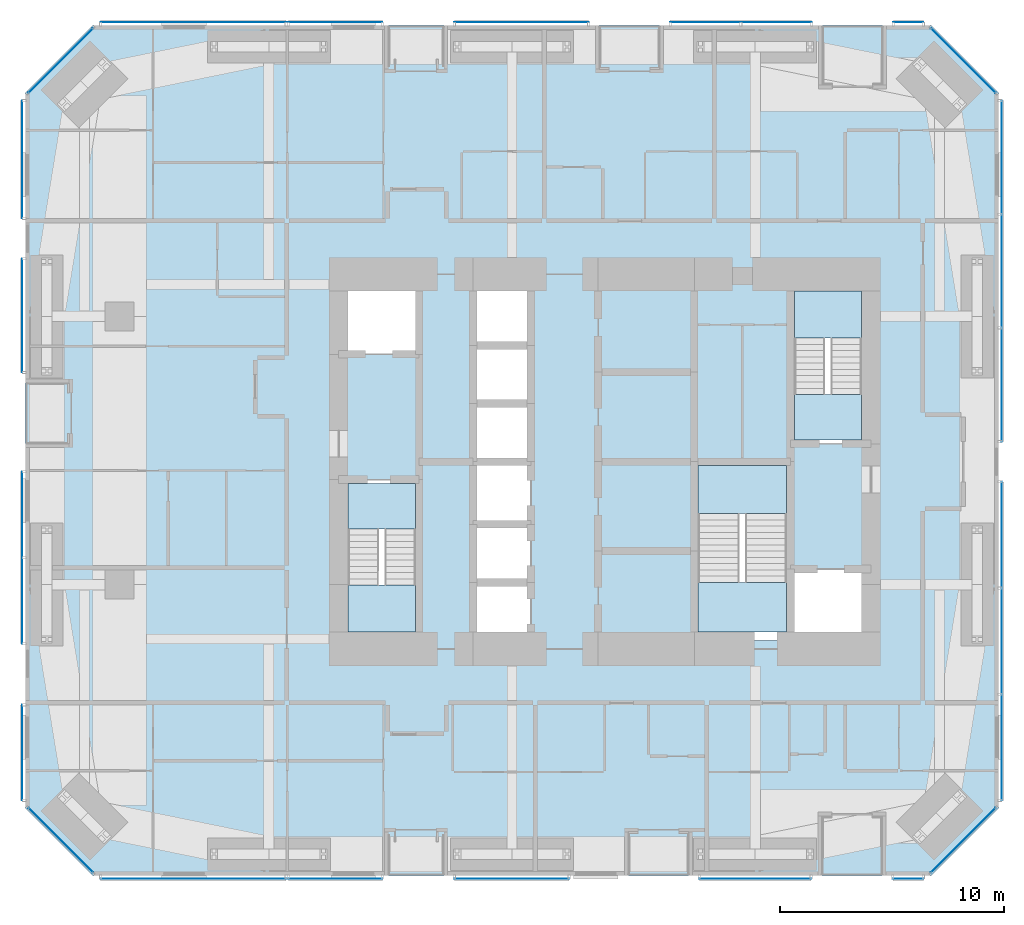
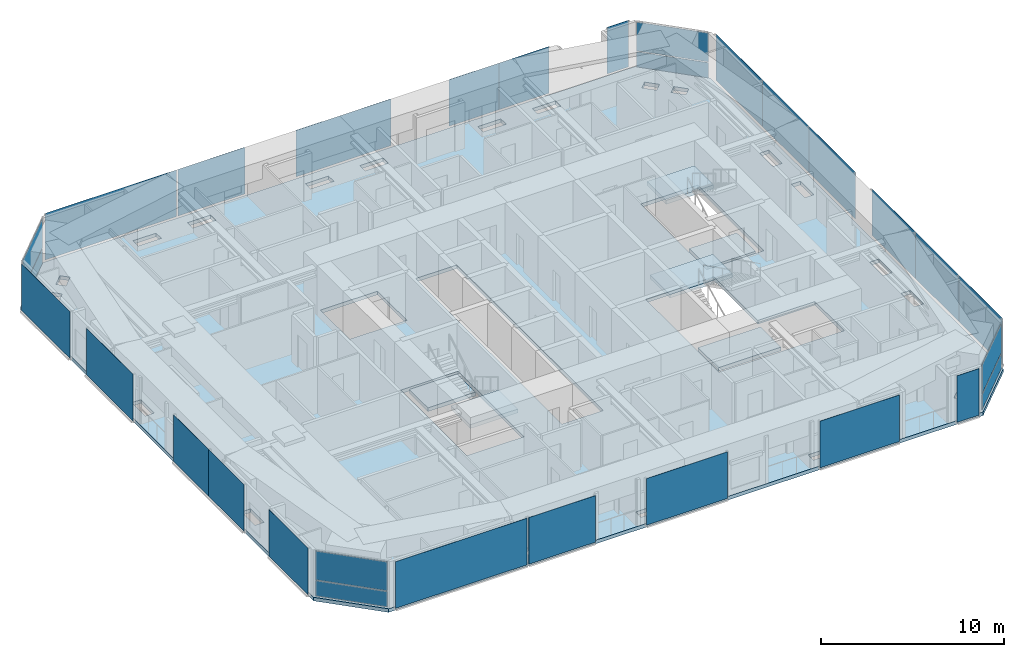
# One storey, part 16 of 25: 30 plates, 7 slabs, 23 elements without a shape of their own.
"""IFC4 building model written with IfcOpenShell, lengths in metres."""

from ifc_helpers import new_model, si_unit, direction, frame, origin, origin_2d, place, context, subcontext, project, spatial, polyline, rectangle, outline, extrude, material, layer, layer_set, type_object, element, aggregate, save


model = new_model("IFC4")

# Units and contexts
model_context = context("Model", 3, precision=1e-05, world=origin(), true_north=direction((0.0, 1.0)))
body_context = subcontext(model_context, "Body", "Model", "MODEL_VIEW")
ifc_project = project(units=[si_unit("LENGTHUNIT", "METRE"), si_unit("AREAUNIT", "SQUARE_METRE"), si_unit("VOLUMEUNIT", "CUBIC_METRE"), si_unit("PLANEANGLEUNIT", "RADIAN"), si_unit("MASSUNIT", "GRAM", prefix="KILO")], contexts=[model_context])

# Site, building, storey
site_placement = place(None, origin())
site = spatial("IfcSite", under=ifc_project, at=site_placement, CompositionType="ELEMENT")
building_placement = place(site_placement, origin())
building = spatial("IfcBuilding", under=site, at=building_placement, Name="Jalousie Tower", CompositionType="ELEMENT")
storey_placement = place(building_placement, frame((0.0, 0.0, 94.800048828125)))
storey = spatial("IfcBuildingStorey", under=building, at=storey_placement, Name="L25", CompositionType="ELEMENT", Elevation=94.800048828125)

# Curtain wall, plates
ifc_material_1 = material(Name="Aluminium curtain wall", Category="aluminium")
curtain_wall_type_1 = type_object("IfcCurtainWallType", Name="CORNER WINDOW WALL", PredefinedType="USERDEFINED", material=ifc_material_1)
curtain_wall_1_placement = place(storey_placement, origin())
curtain_wall_1 = element("IfcCurtainWall", 1, at=curtain_wall_1_placement, inside=storey, type_object=curtain_wall_type_1, Name="Corner Window Wall L25 2", ObjectType="CORNER WINDOW WALL", PredefinedType="USERDEFINED")
ifc_material_2 = material(Name="Laminated impact-rated spandrel glass", Category="glass")
ifc_layer_1 = layer(ifc_material_2, 0.028076171875)
ifc_layer_set_1 = layer_set([ifc_layer_1], Name="Laminated impact-rated spandrel glass")
plate_type_1 = type_object("IfcPlateType", Name="CORNER WINDOW WALL PANEL", PredefinedType="CURTAIN_PANEL", material=ifc_layer_set_1)
plate_1_placement = place(storey_placement, frame((47.9306640625, 1.5693359375, 0.06005859375), z_axis=(0.0, 0.0, 1.0), x_axis=(0.707106781187, 0.707106781187, 0.0)))
plate_1 = element("IfcPlate", 2, at=plate_1_placement, type_object=plate_type_1, Name="CW-C panel 1.1", PredefinedType="CURTAIN_PANEL", context=body_context, shape_type="SweptSolid", body=[
    extrude(rectangle(XDim=4.071533203125, YDim=0.028076171875, at=origin_2d()), origin(), (0.0, 0.0, 1.0), 1.010009765625),
])
plate_2_placement = place(storey_placement, frame((47.9306640625, 1.5693359375, 1.1298828125), z_axis=(0.0, 0.0, 1.0), x_axis=(0.707106781187, 0.707106781187, 0.0)))
plate_2 = element("IfcPlate", 3, at=plate_2_placement, type_object=plate_type_1, Name="CW-C panel 1.2", PredefinedType="CURTAIN_PANEL", context=body_context, shape_type="SweptSolid", body=[
    extrude(rectangle(XDim=4.071533203125, YDim=0.028076171875, at=origin_2d()), origin(), (0.0, 0.0, 1.0), 1.919921875),
])
aggregate(curtain_wall_1, [plate_1, plate_2])

curtain_wall_2_placement = place(storey_placement, origin())
curtain_wall_2 = element("IfcCurtainWall", 4, at=curtain_wall_2_placement, inside=storey, type_object=curtain_wall_type_1, Name="Corner Window Wall L25 4", ObjectType="CORNER WINDOW WALL", PredefinedType="USERDEFINED")
plate_3_placement = place(storey_placement, frame((47.9306640625, 36.4306640625, 0.06005859375), z_axis=(0.0, 0.0, 1.0), x_axis=(-0.707106781187, 0.707106781187, 0.0)))
plate_3 = element("IfcPlate", 5, at=plate_3_placement, type_object=plate_type_1, Name="CW-C panel 1.1", PredefinedType="CURTAIN_PANEL", context=body_context, shape_type="SweptSolid", body=[
    extrude(rectangle(XDim=4.071533203125, YDim=0.028076171875, at=origin_2d()), origin(), (0.0, 0.0, 1.0), 1.010009765625),
])
plate_4_placement = place(storey_placement, frame((47.9306640625, 36.4306640625, 1.1298828125), z_axis=(0.0, 0.0, 1.0), x_axis=(-0.707106781187, 0.707106781187, 0.0)))
plate_4 = element("IfcPlate", 6, at=plate_4_placement, type_object=plate_type_1, Name="CW-C panel 1.2", PredefinedType="CURTAIN_PANEL", context=body_context, shape_type="SweptSolid", body=[
    extrude(rectangle(XDim=4.071533203125, YDim=0.028076171875, at=origin_2d()), origin(), (0.0, 0.0, 1.0), 1.919921875),
])
aggregate(curtain_wall_2, [plate_3, plate_4])

curtain_wall_3_placement = place(storey_placement, origin())
curtain_wall_3 = element("IfcCurtainWall", 7, at=curtain_wall_3_placement, inside=storey, type_object=curtain_wall_type_1, Name="Corner Window Wall L25 6", ObjectType="CORNER WINDOW WALL", PredefinedType="USERDEFINED")
plate_5_placement = place(storey_placement, frame((7.5693359375, 36.4306640625, 0.06005859375), z_axis=(0.0, 0.0, 1.0), x_axis=(-0.707106781187, -0.707106781187, 0.0)))
plate_5 = element("IfcPlate", 8, at=plate_5_placement, type_object=plate_type_1, Name="CW-C panel 1.1", PredefinedType="CURTAIN_PANEL", context=body_context, shape_type="SweptSolid", body=[
    extrude(rectangle(XDim=4.071533203125, YDim=0.028076171875, at=origin_2d()), origin(), (0.0, 0.0, 1.0), 1.010009765625),
])
plate_6_placement = place(storey_placement, frame((7.5693359375, 36.4306640625, 1.1298828125), z_axis=(0.0, 0.0, 1.0), x_axis=(-0.707106781187, -0.707106781187, 0.0)))
plate_6 = element("IfcPlate", 9, at=plate_6_placement, type_object=plate_type_1, Name="CW-C panel 1.2", PredefinedType="CURTAIN_PANEL", context=body_context, shape_type="SweptSolid", body=[
    extrude(rectangle(XDim=4.071533203125, YDim=0.028076171875, at=origin_2d()), origin(), (0.0, 0.0, 1.0), 1.919921875),
])
aggregate(curtain_wall_3, [plate_5, plate_6])

curtain_wall_4_placement = place(storey_placement, origin())
curtain_wall_4 = element("IfcCurtainWall", 10, at=curtain_wall_4_placement, inside=storey, type_object=curtain_wall_type_1, Name="Corner Window Wall L25 8", ObjectType="CORNER WINDOW WALL", PredefinedType="USERDEFINED")
plate_7_placement = place(storey_placement, frame((7.5693359375, 1.5693359375, 0.06005859375), z_axis=(0.0, 0.0, 1.0), x_axis=(0.707106781187, -0.707106781187, 0.0)))
plate_7 = element("IfcPlate", 11, at=plate_7_placement, type_object=plate_type_1, Name="CW-C panel 1.1", PredefinedType="CURTAIN_PANEL", context=body_context, shape_type="SweptSolid", body=[
    extrude(rectangle(XDim=4.071533203125, YDim=0.028076171875, at=origin_2d()), origin(), (0.0, 0.0, 1.0), 1.010009765625),
])
plate_8_placement = place(storey_placement, frame((7.5693359375, 1.5693359375, 1.1298828125), z_axis=(0.0, 0.0, 1.0), x_axis=(0.707106781187, -0.707106781187, 0.0)))
plate_8 = element("IfcPlate", 12, at=plate_8_placement, type_object=plate_type_1, Name="CW-C panel 1.2", PredefinedType="CURTAIN_PANEL", context=body_context, shape_type="SweptSolid", body=[
    extrude(rectangle(XDim=4.071533203125, YDim=0.028076171875, at=origin_2d()), origin(), (0.0, 0.0, 1.0), 1.919921875),
])
aggregate(curtain_wall_4, [plate_7, plate_8])

# Slab
ifc_material_3 = material(Name="Concrete f'c 40 MPa", Category="concrete")
ifc_layer_2 = layer(ifc_material_3, 0.239990234375)
ifc_layer_set_2 = layer_set([ifc_layer_2], Name="Concrete f'c 40 MPa")
slab_type_1 = type_object("IfcSlabType", Name="FLOOR SLAB 240", PredefinedType="FLOOR", material=ifc_layer_set_2)
slab_1_placement = place(storey_placement, frame((0.0, 0.0, -0.239990234375)))
element("IfcSlab", 13, at=slab_1_placement, inside=storey, type_object=slab_type_1, Name="L25 floor slab", PredefinedType="FLOOR", context=body_context, shape_type="SweptSolid", body=[
    extrude(outline(polyline([(9.0, 0.0), (46.5, 0.0), (49.5, 3.0), (49.5, 35.0), (46.5, 38.0), (9.0, 38.0), (6.0, 35.0), (6.0, 3.0), (9.0, 0.0)]), holes=[polyline([(14.425048828125, 1.236083984375), (14.484619140625, 1.236083984375), (15.888916015625, 1.236083984375), (15.888916015625, 0.663818359375), (14.484619140625, 0.663818359375), (14.425048828125, 0.663818359375), (14.425048828125, 1.236083984375)]), polyline([(26.763916015625, 1.236083984375), (26.763916015625, 0.663818359375), (25.359619140625, 0.663818359375), (25.300048828125, 0.663818359375), (25.300048828125, 1.236083984375), (25.359619140625, 1.236083984375), (26.763916015625, 1.236083984375)]), polyline([(17.861083984375, 1.236083984375), (19.265380859375, 1.236083984375), (19.324951171875, 1.236083984375), (19.324951171875, 0.663818359375), (19.265380859375, 0.663818359375), (17.861083984375, 0.663818359375), (17.861083984375, 1.236083984375)]), polyline([(9.220947265625, 1.636962890625), (8.71435546875, 2.1435546875), (9.119140625, 2.54833984375), (9.625732421875, 2.041748046875), (9.717529296875, 1.949951171875), (9.717529296875, 1.949951171875), (9.717529296875, 1.949951171875), (9.515380859375, 1.74755859375), (9.31298828125, 1.545166015625), (9.220947265625, 1.636962890625), (9.220947265625, 1.636962890625)]), polyline([(7.545166015625, 3.31298828125), (7.949951171875, 3.717529296875), (8.54833984375, 3.119140625), (8.1435546875, 2.71435546875), (7.545166015625, 3.31298828125)]), polyline([(7.236083984375, 10.550048828125), (6.663818359375, 10.550048828125), (6.663818359375, 10.609619140625), (6.663818359375, 12.013916015625), (7.236083984375, 12.013916015625), (7.236083984375, 10.609619140625), (7.236083984375, 10.550048828125)]), polyline([(26.0, 10.5), (26.0, 26.5), (28.60009765625, 26.5), (28.60009765625, 10.5), (26.0, 10.5)]), polyline([(20.0, 10.5), (23.60009765625, 10.5), (23.60009765625, 17.699951171875), (20.0, 17.699951171875), (20.0, 10.5)]), polyline([(7.236083984375, 15.390380859375), (7.236083984375, 13.986083984375), (6.663818359375, 13.986083984375), (6.663818359375, 15.390380859375), (6.663818359375, 15.449951171875), (7.236083984375, 15.449951171875), (7.236083984375, 15.390380859375)]), polyline([(6.663818359375, 24.013916015625), (7.236083984375, 24.013916015625), (7.236083984375, 22.609619140625), (7.236083984375, 22.550048828125), (6.663818359375, 22.550048828125), (6.663818359375, 22.609619140625), (6.663818359375, 24.013916015625)]), polyline([(20.0, 23.300048828125), (23.60009765625, 23.300048828125), (23.60009765625, 26.5), (20.0, 26.5), (20.0, 23.300048828125)]), polyline([(7.236083984375, 25.986083984375), (6.663818359375, 25.986083984375), (6.663818359375, 27.390380859375), (6.663818359375, 27.449951171875), (7.236083984375, 27.449951171875), (7.236083984375, 27.390380859375), (7.236083984375, 25.986083984375)]), polyline([(7.949951171875, 34.282470703125), (7.74755859375, 34.484619140625), (7.545166015625, 34.68701171875), (7.636962890625, 34.779052734375), (7.636962890625, 34.779052734375), (8.1435546875, 35.28564453125), (8.54833984375, 34.880859375), (8.037841796875, 34.370361328125), (7.949951171875, 34.282470703125), (7.949951171875, 34.282470703125), (7.949951171875, 34.282470703125)]), polyline([(9.717529296875, 36.050048828125), (9.625732421875, 35.958251953125), (9.625732421875, 35.958251953125), (9.119140625, 35.45166015625), (8.71435546875, 35.8564453125), (9.239013671875, 36.380859375), (9.31298828125, 36.454833984375), (9.31298828125, 36.454833984375), (9.515380859375, 36.25244140625), (9.717529296875, 36.050048828125)]), polyline([(26.763916015625, 36.763916015625), (25.359619140625, 36.763916015625), (25.300048828125, 36.763916015625), (25.300048828125, 37.336181640625), (25.359619140625, 37.336181640625), (26.763916015625, 37.336181640625), (26.763916015625, 36.763916015625)]), polyline([(19.324951171875, 37.336181640625), (19.324951171875, 36.763916015625), (19.265380859375, 36.763916015625), (17.861083984375, 36.763916015625), (17.861083984375, 37.336181640625), (19.265380859375, 37.336181640625), (19.324951171875, 37.336181640625)]), polyline([(14.425048828125, 36.763916015625), (14.425048828125, 37.336181640625), (14.484619140625, 37.336181640625), (15.888916015625, 37.336181640625), (15.888916015625, 36.763916015625), (14.484619140625, 36.763916015625), (14.425048828125, 36.763916015625)]), polyline([(28.736083984375, 0.663818359375), (28.736083984375, 1.236083984375), (30.140380859375, 1.236083984375), (30.199951171875, 1.236083984375), (30.199951171875, 0.663818359375), (30.140380859375, 0.663818359375), (28.736083984375, 0.663818359375)]), polyline([(36.234619140625, 0.663818359375), (36.175048828125, 0.663818359375), (36.175048828125, 1.236083984375), (36.234619140625, 1.236083984375), (37.638916015625, 1.236083984375), (37.638916015625, 0.663818359375), (36.234619140625, 0.663818359375)]), polyline([(41.015380859375, 1.236083984375), (41.074951171875, 1.236083984375), (41.074951171875, 0.663818359375), (41.015380859375, 0.663818359375), (39.611083984375, 0.663818359375), (39.611083984375, 1.236083984375), (41.015380859375, 1.236083984375)]), polyline([(46.279052734375, 1.636962890625), (46.18701171875, 1.545166015625), (45.984619140625, 1.74755859375), (45.782470703125, 1.949951171875), (45.782470703125, 1.949951171875), (45.782470703125, 1.949951171875), (45.874267578125, 2.041748046875), (46.380859375, 2.54833984375), (46.78564453125, 2.1435546875), (46.279052734375, 1.636962890625), (46.279052734375, 1.636962890625)]), polyline([(47.458251953125, 3.625732421875), (47.458251953125, 3.625732421875), (47.550048828125, 3.717529296875), (47.75244140625, 3.515380859375), (47.954833984375, 3.31298828125), (47.954833984375, 3.31298828125), (47.954833984375, 3.31298828125), (47.863037109375, 3.220947265625), (47.3564453125, 2.71435546875), (46.95166015625, 3.119140625), (47.458251953125, 3.625732421875)]), polyline([(48.836181640625, 10.550048828125), (48.263916015625, 10.550048828125), (48.263916015625, 10.609619140625), (48.263916015625, 12.013916015625), (48.836181640625, 12.013916015625), (48.836181640625, 10.609619140625), (48.836181640625, 10.550048828125)]), polyline([(35.89990234375, 18.5), (40.199951171875, 18.5), (40.199951171875, 13.699951171875), (43.800048828125, 13.699951171875), (43.800048828125, 10.5), (35.89990234375, 10.5), (35.89990234375, 18.5)]), polyline([(48.836181640625, 13.986083984375), (48.263916015625, 13.986083984375), (48.263916015625, 15.390380859375), (48.263916015625, 15.449951171875), (48.836181640625, 15.449951171875), (48.836181640625, 15.390380859375), (48.836181640625, 13.986083984375)]), polyline([(40.199951171875, 19.300048828125), (43.800048828125, 19.300048828125), (43.800048828125, 26.5), (40.199951171875, 26.5), (40.199951171875, 19.300048828125)]), polyline([(48.836181640625, 22.550048828125), (48.263916015625, 22.550048828125), (48.263916015625, 22.609619140625), (48.263916015625, 24.013916015625), (48.836181640625, 24.013916015625), (48.836181640625, 22.609619140625), (48.836181640625, 22.550048828125)]), polyline([(48.836181640625, 27.390380859375), (48.836181640625, 25.986083984375), (48.263916015625, 25.986083984375), (48.263916015625, 27.390380859375), (48.263916015625, 27.449951171875), (48.836181640625, 27.449951171875), (48.836181640625, 27.390380859375)]), polyline([(47.3564453125, 35.28564453125), (47.954833984375, 34.68701171875), (47.550048828125, 34.282470703125), (47.458251953125, 34.374267578125), (46.95166015625, 34.880859375), (47.3564453125, 35.28564453125)]), polyline([(46.380859375, 35.45166015625), (45.874267578125, 35.958251953125), (45.782470703125, 36.050048828125), (46.18701171875, 36.454833984375), (46.78564453125, 35.8564453125), (46.380859375, 35.45166015625)]), polyline([(41.015380859375, 37.336181640625), (41.074951171875, 37.336181640625), (41.074951171875, 36.763916015625), (41.015380859375, 36.763916015625), (39.611083984375, 36.763916015625), (39.611083984375, 37.336181640625), (41.015380859375, 37.336181640625)]), polyline([(37.638916015625, 37.336181640625), (37.638916015625, 36.763916015625), (36.234619140625, 36.763916015625), (36.175048828125, 36.763916015625), (36.175048828125, 37.336181640625), (36.234619140625, 37.336181640625), (37.638916015625, 37.336181640625)]), polyline([(28.736083984375, 37.336181640625), (30.140380859375, 37.336181640625), (30.199951171875, 37.336181640625), (30.199951171875, 36.763916015625), (30.140380859375, 36.763916015625), (28.736083984375, 36.763916015625), (28.736083984375, 37.336181640625)])]), origin(), (0.0, 0.0, 1.0), 0.239990234375),
])

# Curtain wall, plate
ifc_material_4 = material(Name="Perforated aluminium sheet", Category="aluminium")
curtain_wall_type_2 = type_object("IfcCurtainWallType", Name="SOLAR SCREEN SS-1", PredefinedType="USERDEFINED", material=ifc_material_4)
curtain_wall_5_placement = place(storey_placement, origin())
curtain_wall_5 = element("IfcCurtainWall", 14, at=curtain_wall_5_placement, inside=storey, type_object=curtain_wall_type_2, Name="Solar screen L25", ObjectType="SOLAR SCREEN SS-1", PredefinedType="USERDEFINED")
ifc_material_5 = material(Name="Perforated aluminium sheet", Category="aluminium")
ifc_layer_3 = layer(ifc_material_5, 0.006103515625)
ifc_layer_set_3 = layer_set([ifc_layer_3], Name="Perforated aluminium sheet")
plate_type_2 = type_object("IfcPlateType", Name="SOLAR SCREEN SS-1 PANEL", PredefinedType="CURTAIN_PANEL", material=ifc_layer_set_3)
plate_9_placement = place(storey_placement, frame((13.500732421875, -0.150390625, 0.0), z_axis=(0.0, 0.0, 1.0), x_axis=(1.0, 0.0, 0.0)))
plate_9 = element("IfcPlate", 15, at=plate_9_placement, type_object=plate_type_2, Name="SS1 perforated panel 1", PredefinedType="CURTAIN_PANEL", context=body_context, shape_type="SweptSolid", body=[
    extrude(rectangle(XDim=8.298583984375, YDim=0.006103515625, at=origin_2d()), origin(), (0.0, 0.0, 1.0), 3.110107421875),
])
aggregate(curtain_wall_5, [plate_9])

curtain_wall_6_placement = place(storey_placement, origin())
curtain_wall_6 = element("IfcCurtainWall", 16, at=curtain_wall_6_placement, inside=storey, type_object=curtain_wall_type_2, Name="Solar screen L25", ObjectType="SOLAR SCREEN SS-1", PredefinedType="USERDEFINED")
plate_10_placement = place(storey_placement, frame((19.85009765625, -0.150390625, 0.0), z_axis=(0.0, 0.0, 1.0), x_axis=(1.0, 0.0, 0.0)))
plate_10 = element("IfcPlate", 17, at=plate_10_placement, type_object=plate_type_2, Name="SS1 perforated panel 1", PredefinedType="CURTAIN_PANEL", context=body_context, shape_type="SweptSolid", body=[
    extrude(rectangle(XDim=4.199951171875, YDim=0.006103515625, at=origin_2d()), origin(), (0.0, 0.0, 1.0), 3.110107421875),
])
aggregate(curtain_wall_6, [plate_10])

curtain_wall_7_placement = place(storey_placement, origin())
curtain_wall_7 = element("IfcCurtainWall", 18, at=curtain_wall_7_placement, inside=storey, type_object=curtain_wall_type_2, Name="Solar screen L25", ObjectType="SOLAR SCREEN SS-1", PredefinedType="USERDEFINED")
plate_11_placement = place(storey_placement, frame((27.737548828125, -0.150390625, 0.0), z_axis=(0.0, 0.0, 1.0), x_axis=(1.0, 0.0, 0.0)))
plate_11 = element("IfcPlate", 19, at=plate_11_placement, type_object=plate_type_2, Name="SS1 perforated panel 1", PredefinedType="CURTAIN_PANEL", context=body_context, shape_type="SweptSolid", body=[
    extrude(rectangle(XDim=5.125, YDim=0.006103515625, at=origin_2d()), origin(), (0.0, 0.0, 1.0), 3.110107421875),
])
aggregate(curtain_wall_7, [plate_11])

curtain_wall_8_placement = place(storey_placement, origin())
curtain_wall_8 = element("IfcCurtainWall", 20, at=curtain_wall_8_placement, inside=storey, type_object=curtain_wall_type_2, Name="Solar screen L25", ObjectType="SOLAR SCREEN SS-1", PredefinedType="USERDEFINED")
plate_12_placement = place(storey_placement, frame((38.625, -0.150390625, 0.0), z_axis=(0.0, 0.0, 1.0), x_axis=(1.0, 0.0, 0.0)))
plate_12 = element("IfcPlate", 21, at=plate_12_placement, type_object=plate_type_2, Name="SS1 perforated panel 1", PredefinedType="CURTAIN_PANEL", context=body_context, shape_type="SweptSolid", body=[
    extrude(rectangle(XDim=5.0, YDim=0.006103515625, at=origin_2d()), origin(), (0.0, 0.0, 1.0), 3.110107421875),
])
aggregate(curtain_wall_8, [plate_12])

curtain_wall_9_placement = place(storey_placement, origin())
curtain_wall_9 = element("IfcCurtainWall", 22, at=curtain_wall_9_placement, inside=storey, type_object=curtain_wall_type_2, Name="Solar screen L25", ObjectType="SOLAR SCREEN SS-1", PredefinedType="USERDEFINED")
plate_13_placement = place(storey_placement, frame((45.4619140625, -0.150390625, 0.0), z_axis=(0.0, 0.0, 1.0), x_axis=(1.0, 0.0, 0.0)))
plate_13 = element("IfcPlate", 23, at=plate_13_placement, type_object=plate_type_2, Name="SS1 perforated panel 1", PredefinedType="CURTAIN_PANEL", context=body_context, shape_type="SweptSolid", body=[
    extrude(rectangle(XDim=1.373779296875, YDim=0.006103515625, at=origin_2d()), origin(), (0.0, 0.0, 1.0), 3.110107421875),
])
aggregate(curtain_wall_9, [plate_13])

# Curtain wall, plates
curtain_wall_10_placement = place(storey_placement, origin())
curtain_wall_10 = element("IfcCurtainWall", 24, at=curtain_wall_10_placement, inside=storey, type_object=curtain_wall_type_2, Name="Solar screen L25", ObjectType="SOLAR SCREEN SS-1", PredefinedType="USERDEFINED")
plate_14_placement = place(storey_placement, frame((49.650390625, 5.72607421875, 0.0), z_axis=(0.0, 0.0, 1.0), x_axis=(0.0, 1.0, 0.0)))
plate_14 = element("IfcPlate", 25, at=plate_14_placement, type_object=plate_type_2, Name="SS1 perforated panel 1", PredefinedType="CURTAIN_PANEL", context=body_context, shape_type="SweptSolid", body=[
    extrude(rectangle(XDim=4.74951171875, YDim=0.006103515625, at=origin_2d()), origin(), (0.0, 0.0, 1.0), 3.110107421875),
])
plate_15_placement = place(storey_placement, frame((49.650390625, 10.4755859375, 0.0), z_axis=(0.0, 0.0, 1.0), x_axis=(0.0, 1.0, 0.0)))
plate_15 = element("IfcPlate", 26, at=plate_15_placement, type_object=plate_type_2, Name="SS1 perforated panel 2", PredefinedType="CURTAIN_PANEL", context=body_context, shape_type="SweptSolid", body=[
    extrude(rectangle(XDim=4.74951171875, YDim=0.006103515625, at=origin_2d()), origin(), (0.0, 0.0, 1.0), 3.110107421875),
])
plate_16_placement = place(storey_placement, frame((49.650390625, 15.22509765625, 0.0), z_axis=(0.0, 0.0, 1.0), x_axis=(0.0, 1.0, 0.0)))
plate_16 = element("IfcPlate", 27, at=plate_16_placement, type_object=plate_type_2, Name="SS1 perforated panel 3", PredefinedType="CURTAIN_PANEL", context=body_context, shape_type="SweptSolid", body=[
    extrude(rectangle(XDim=4.74951171875, YDim=0.006103515625, at=origin_2d()), origin(), (0.0, 0.0, 1.0), 3.110107421875),
])
aggregate(curtain_wall_10, [plate_14, plate_15, plate_16])

curtain_wall_11_placement = place(storey_placement, origin())
curtain_wall_11 = element("IfcCurtainWall", 28, at=curtain_wall_11_placement, inside=storey, type_object=curtain_wall_type_2, Name="Solar screen L25", ObjectType="SOLAR SCREEN SS-1", PredefinedType="USERDEFINED")
plate_17_placement = place(storey_placement, frame((49.650390625, 21.94140625, 0.0), z_axis=(0.0, 0.0, 1.0), x_axis=(0.0, 1.0, 0.0)))
plate_17 = element("IfcPlate", 29, at=plate_17_placement, type_object=plate_type_2, Name="SS1 perforated panel 1", PredefinedType="CURTAIN_PANEL", context=body_context, shape_type="SweptSolid", body=[
    extrude(rectangle(XDim=5.0830078125, YDim=0.006103515625, at=origin_2d()), origin(), (0.0, 0.0, 1.0), 3.110107421875),
])
plate_18_placement = place(storey_placement, frame((49.650390625, 27.0244140625, 0.0), z_axis=(0.0, 0.0, 1.0), x_axis=(0.0, 1.0, 0.0)))
plate_18 = element("IfcPlate", 30, at=plate_18_placement, type_object=plate_type_2, Name="SS1 perforated panel 2", PredefinedType="CURTAIN_PANEL", context=body_context, shape_type="SweptSolid", body=[
    extrude(rectangle(XDim=5.0830078125, YDim=0.006103515625, at=origin_2d()), origin(), (0.0, 0.0, 1.0), 3.110107421875),
])
plate_19_placement = place(storey_placement, frame((49.650390625, 32.107177734375, 0.0), z_axis=(0.0, 0.0, 1.0), x_axis=(0.0, 1.0, 0.0)))
plate_19 = element("IfcPlate", 31, at=plate_19_placement, type_object=plate_type_2, Name="SS1 perforated panel 3", PredefinedType="CURTAIN_PANEL", context=body_context, shape_type="SweptSolid", body=[
    extrude(rectangle(XDim=5.0830078125, YDim=0.006103515625, at=origin_2d()), origin(), (0.0, 0.0, 1.0), 3.110107421875),
])
aggregate(curtain_wall_11, [plate_17, plate_18, plate_19])

# Curtain wall, plate
curtain_wall_12_placement = place(storey_placement, origin())
curtain_wall_12 = element("IfcCurtainWall", 32, at=curtain_wall_12_placement, inside=storey, type_object=curtain_wall_type_2, Name="Solar screen L25", ObjectType="SOLAR SCREEN SS-1", PredefinedType="USERDEFINED")
plate_20_placement = place(storey_placement, frame((45.4736328125, 38.150390625, 0.0), z_axis=(0.0, 0.0, 1.0), x_axis=(-1.0, 0.0, 0.0)))
plate_20 = element("IfcPlate", 33, at=plate_20_placement, type_object=plate_type_2, Name="SS1 perforated panel 1", PredefinedType="CURTAIN_PANEL", context=body_context, shape_type="SweptSolid", body=[
    extrude(rectangle(XDim=1.35009765625, YDim=0.006103515625, at=origin_2d()), origin(), (0.0, 0.0, 1.0), 3.110107421875),
])
aggregate(curtain_wall_12, [plate_20])

# Curtain wall, plates
curtain_wall_13_placement = place(storey_placement, origin())
curtain_wall_13 = element("IfcCurtainWall", 34, at=curtain_wall_13_placement, inside=storey, type_object=curtain_wall_type_2, Name="Solar screen L25", ObjectType="SOLAR SCREEN SS-1", PredefinedType="USERDEFINED")
plate_21_placement = place(storey_placement, frame((39.56787109375, 38.150390625, 0.0), z_axis=(0.0, 0.0, 1.0), x_axis=(-1.0, 0.0, 0.0)))
plate_21 = element("IfcPlate", 35, at=plate_21_placement, type_object=plate_type_2, Name="SS1 perforated panel 1", PredefinedType="CURTAIN_PANEL", context=body_context, shape_type="SweptSolid", body=[
    extrude(rectangle(XDim=3.161865234375, YDim=0.006103515625, at=origin_2d()), origin(), (0.0, 0.0, 1.0), 3.110107421875),
])
plate_22_placement = place(storey_placement, frame((36.406005859375, 38.150390625, 0.0), z_axis=(0.0, 0.0, 1.0), x_axis=(-1.0, 0.0, 0.0)))
plate_22 = element("IfcPlate", 36, at=plate_22_placement, type_object=plate_type_2, Name="SS1 perforated panel 2", PredefinedType="CURTAIN_PANEL", context=body_context, shape_type="SweptSolid", body=[
    extrude(rectangle(XDim=3.161865234375, YDim=0.006103515625, at=origin_2d()), origin(), (0.0, 0.0, 1.0), 3.110107421875),
])
aggregate(curtain_wall_13, [plate_21, plate_22])

# Curtain wall, plate
curtain_wall_14_placement = place(storey_placement, origin())
curtain_wall_14 = element("IfcCurtainWall", 37, at=curtain_wall_14_placement, inside=storey, type_object=curtain_wall_type_2, Name="Solar screen L25", ObjectType="SOLAR SCREEN SS-1", PredefinedType="USERDEFINED")
plate_23_placement = place(storey_placement, frame((28.175048828125, 38.150390625, 0.0), z_axis=(0.0, 0.0, 1.0), x_axis=(-1.0, 0.0, 0.0)))
plate_23 = element("IfcPlate", 38, at=plate_23_placement, type_object=plate_type_2, Name="SS1 perforated panel 1", PredefinedType="CURTAIN_PANEL", context=body_context, shape_type="SweptSolid", body=[
    extrude(rectangle(XDim=6.0, YDim=0.006103515625, at=origin_2d()), origin(), (0.0, 0.0, 1.0), 3.110107421875),
])
aggregate(curtain_wall_14, [plate_23])

curtain_wall_15_placement = place(storey_placement, origin())
curtain_wall_15 = element("IfcCurtainWall", 39, at=curtain_wall_15_placement, inside=storey, type_object=curtain_wall_type_2, Name="Solar screen L25", ObjectType="SOLAR SCREEN SS-1", PredefinedType="USERDEFINED")
plate_24_placement = place(storey_placement, frame((19.85009765625, 38.150390625, 0.0), z_axis=(0.0, 0.0, 1.0), x_axis=(-1.0, 0.0, 0.0)))
plate_24 = element("IfcPlate", 40, at=plate_24_placement, type_object=plate_type_2, Name="SS1 perforated panel 1", PredefinedType="CURTAIN_PANEL", context=body_context, shape_type="SweptSolid", body=[
    extrude(rectangle(XDim=4.199951171875, YDim=0.006103515625, at=origin_2d()), origin(), (0.0, 0.0, 1.0), 3.110107421875),
])
aggregate(curtain_wall_15, [plate_24])

curtain_wall_16_placement = place(storey_placement, origin())
curtain_wall_16 = element("IfcCurtainWall", 41, at=curtain_wall_16_placement, inside=storey, type_object=curtain_wall_type_2, Name="Solar screen L25", ObjectType="SOLAR SCREEN SS-1", PredefinedType="USERDEFINED")
plate_25_placement = place(storey_placement, frame((13.500732421875, 38.150390625, 0.0), z_axis=(0.0, 0.0, 1.0), x_axis=(-1.0, 0.0, 0.0)))
plate_25 = element("IfcPlate", 42, at=plate_25_placement, type_object=plate_type_2, Name="SS1 perforated panel 1", PredefinedType="CURTAIN_PANEL", context=body_context, shape_type="SweptSolid", body=[
    extrude(rectangle(XDim=8.298583984375, YDim=0.006103515625, at=origin_2d()), origin(), (0.0, 0.0, 1.0), 3.110107421875),
])
aggregate(curtain_wall_16, [plate_25])

curtain_wall_17_placement = place(storey_placement, origin())
curtain_wall_17 = element("IfcCurtainWall", 43, at=curtain_wall_17_placement, inside=storey, type_object=curtain_wall_type_2, Name="Solar screen L25", ObjectType="SOLAR SCREEN SS-1", PredefinedType="USERDEFINED")
plate_26_placement = place(storey_placement, frame((5.849609375, 32.01171875, 0.0), z_axis=(0.0, 0.0, 1.0), x_axis=(0.0, -1.0, 0.0)))
plate_26 = element("IfcPlate", 44, at=plate_26_placement, type_object=plate_type_2, Name="SS1 perforated panel 1", PredefinedType="CURTAIN_PANEL", context=body_context, shape_type="SweptSolid", body=[
    extrude(rectangle(XDim=5.273681640625, YDim=0.006103515625, at=origin_2d()), origin(), (0.0, 0.0, 1.0), 3.110107421875),
])
aggregate(curtain_wall_17, [plate_26])

curtain_wall_18_placement = place(storey_placement, origin())
curtain_wall_18 = element("IfcCurtainWall", 45, at=curtain_wall_18_placement, inside=storey, type_object=curtain_wall_type_2, Name="Solar screen L25", ObjectType="SOLAR SCREEN SS-1", PredefinedType="USERDEFINED")
plate_27_placement = place(storey_placement, frame((5.849609375, 25.03125, 0.0), z_axis=(0.0, 0.0, 1.0), x_axis=(0.0, -1.0, 0.0)))
plate_27 = element("IfcPlate", 46, at=plate_27_placement, type_object=plate_type_2, Name="SS1 perforated panel 1", PredefinedType="CURTAIN_PANEL", context=body_context, shape_type="SweptSolid", body=[
    extrude(rectangle(XDim=5.08740234375, YDim=0.006103515625, at=origin_2d()), origin(), (0.0, 0.0, 1.0), 3.110107421875),
])
aggregate(curtain_wall_18, [plate_27])

# Curtain wall, plates
curtain_wall_19_placement = place(storey_placement, origin())
curtain_wall_19 = element("IfcCurtainWall", 47, at=curtain_wall_19_placement, inside=storey, type_object=curtain_wall_type_2, Name="Solar screen L25", ObjectType="SOLAR SCREEN SS-1", PredefinedType="USERDEFINED")
plate_28_placement = place(storey_placement, frame((5.849609375, 16.1279296875, 0.0), z_axis=(0.0, 0.0, 1.0), x_axis=(0.0, -1.0, 0.0)))
plate_28 = element("IfcPlate", 48, at=plate_28_placement, type_object=plate_type_2, Name="SS1 perforated panel 1", PredefinedType="CURTAIN_PANEL", context=body_context, shape_type="SweptSolid", body=[
    extrude(rectangle(XDim=3.843994140625, YDim=0.006103515625, at=origin_2d()), origin(), (0.0, 0.0, 1.0), 3.110107421875),
])
plate_29_placement = place(storey_placement, frame((5.849609375, 12.283935546875, 0.0), z_axis=(0.0, 0.0, 1.0), x_axis=(0.0, -1.0, 0.0)))
plate_29 = element("IfcPlate", 49, at=plate_29_placement, type_object=plate_type_2, Name="SS1 perforated panel 2", PredefinedType="CURTAIN_PANEL", context=body_context, shape_type="SweptSolid", body=[
    extrude(rectangle(XDim=3.843994140625, YDim=0.006103515625, at=origin_2d()), origin(), (0.0, 0.0, 1.0), 3.110107421875),
])
aggregate(curtain_wall_19, [plate_28, plate_29])

# Curtain wall, plate
curtain_wall_20_placement = place(storey_placement, origin())
curtain_wall_20 = element("IfcCurtainWall", 50, at=curtain_wall_20_placement, inside=storey, type_object=curtain_wall_type_2, Name="Solar screen L25", ObjectType="SOLAR SCREEN SS-1", PredefinedType="USERDEFINED")
plate_30_placement = place(storey_placement, frame((5.849609375, 5.48828125, 0.0), z_axis=(0.0, 0.0, 1.0), x_axis=(0.0, -1.0, 0.0)))
plate_30 = element("IfcPlate", 51, at=plate_30_placement, type_object=plate_type_2, Name="SS1 perforated panel 1", PredefinedType="CURTAIN_PANEL", context=body_context, shape_type="SweptSolid", body=[
    extrude(rectangle(XDim=4.273681640625, YDim=0.006103515625, at=origin_2d()), origin(), (0.0, 0.0, 1.0), 3.110107421875),
])
aggregate(curtain_wall_20, [plate_30])

# Stair, slabs
ifc_material_6 = material(Name="Concrete f'c 40 MPa", Category="concrete")
stair_type = type_object("IfcStairType", Name="EXIT STAIR", PredefinedType="HALF_TURN_STAIR", material=ifc_material_6)
stair_1_placement = place(storey_placement, origin())
stair_1 = element("IfcStair", 52, at=stair_1_placement, inside=storey, type_object=stair_type, Name="Exit stair A L25", PredefinedType="HALF_TURN_STAIR")
ifc_material_7 = material(Name="Concrete f'c 40 MPa", Category="concrete")
ifc_layer_4 = layer(ifc_material_7, 0.25)
ifc_layer_set_4 = layer_set([ifc_layer_4], Name="Concrete f'c 40 MPa")
slab_type_2 = type_object("IfcSlabType", Name="STAIR LANDING 250", PredefinedType="LANDING", material=ifc_layer_set_4)
slab_2_placement = place(storey_placement, frame((0.0, 0.0, -0.25)))
slab_2 = element("IfcSlab", 53, at=slab_2_placement, type_object=slab_type_2, Name="ST-A landing 1", PredefinedType="LANDING", context=body_context, shape_type="SweptSolid", body=[
    extrude(outline(polyline([(20.425048828125, 15.49755859375), (23.425048828125, 15.49755859375), (23.425048828125, 17.52490234375), (20.425048828125, 17.52490234375), (20.425048828125, 15.49755859375)])), origin(), (0.0, 0.0, 1.0), 0.25),
])
slab_3_placement = place(storey_placement, frame((0.0, 0.0, 1.425048828125)))
slab_3 = element("IfcSlab", 54, at=slab_3_placement, type_object=slab_type_2, Name="ST-A landing 2", PredefinedType="LANDING", context=body_context, shape_type="SweptSolid", body=[
    extrude(outline(polyline([(20.425048828125, 10.875), (23.425048828125, 10.875), (23.425048828125, 12.9775390625), (20.425048828125, 12.9775390625), (20.425048828125, 10.875)])), origin(), (0.0, 0.0, 1.0), 0.25),
])
aggregate(stair_1, [slab_2, slab_3])

stair_2_placement = place(storey_placement, origin())
stair_2 = element("IfcStair", 55, at=stair_2_placement, inside=storey, type_object=stair_type, Name="Exit stair B L25", PredefinedType="HALF_TURN_STAIR")
slab_4_placement = place(storey_placement, frame((0.0, 0.0, -0.25)))
slab_4 = element("IfcSlab", 56, at=slab_4_placement, type_object=slab_type_2, Name="ST-B landing 1", PredefinedType="LANDING", context=body_context, shape_type="SweptSolid", body=[
    extrude(outline(polyline([(40.375, 19.47509765625), (43.375, 19.47509765625), (43.375, 21.50244140625), (40.375, 21.50244140625), (40.375, 19.47509765625)])), origin(), (0.0, 0.0, 1.0), 0.25),
])
slab_5_placement = place(storey_placement, frame((0.0, 0.0, 1.425048828125)))
slab_5 = element("IfcSlab", 57, at=slab_5_placement, type_object=slab_type_2, Name="ST-B landing 2", PredefinedType="LANDING", context=body_context, shape_type="SweptSolid", body=[
    extrude(outline(polyline([(40.375, 24.0224609375), (43.375, 24.0224609375), (43.375, 26.125), (40.375, 26.125), (40.375, 24.0224609375)])), origin(), (0.0, 0.0, 1.0), 0.25),
])
aggregate(stair_2, [slab_4, slab_5])

stair_3_placement = place(storey_placement, origin())
stair_3 = element("IfcStair", 58, at=stair_3_placement, inside=storey, type_object=stair_type, Name="Exit stair C L25", PredefinedType="HALF_TURN_STAIR")
slab_6_placement = place(storey_placement, frame((0.0, 0.0, -0.25)))
slab_6 = element("IfcSlab", 59, at=slab_6_placement, type_object=slab_type_2, Name="ST-C landing 1", PredefinedType="LANDING", context=body_context, shape_type="SweptSolid", body=[
    extrude(outline(polyline([(36.074951171875, 10.875), (40.02490234375, 10.875), (40.02490234375, 13.097412109375), (36.074951171875, 13.097412109375), (36.074951171875, 10.875)])), origin(), (0.0, 0.0, 1.0), 0.25),
])
slab_7_placement = place(storey_placement, frame((0.0, 0.0, 1.425048828125)))
slab_7 = element("IfcSlab", 60, at=slab_7_placement, type_object=slab_type_2, Name="ST-C landing 2", PredefinedType="LANDING", context=body_context, shape_type="SweptSolid", body=[
    extrude(outline(polyline([(36.074951171875, 16.177490234375), (40.02490234375, 16.177490234375), (40.02490234375, 18.324951171875), (36.074951171875, 18.324951171875), (36.074951171875, 16.177490234375)])), origin(), (0.0, 0.0, 1.0), 0.25),
])
aggregate(stair_3, [slab_6, slab_7])

save(model, "model.ifc")
